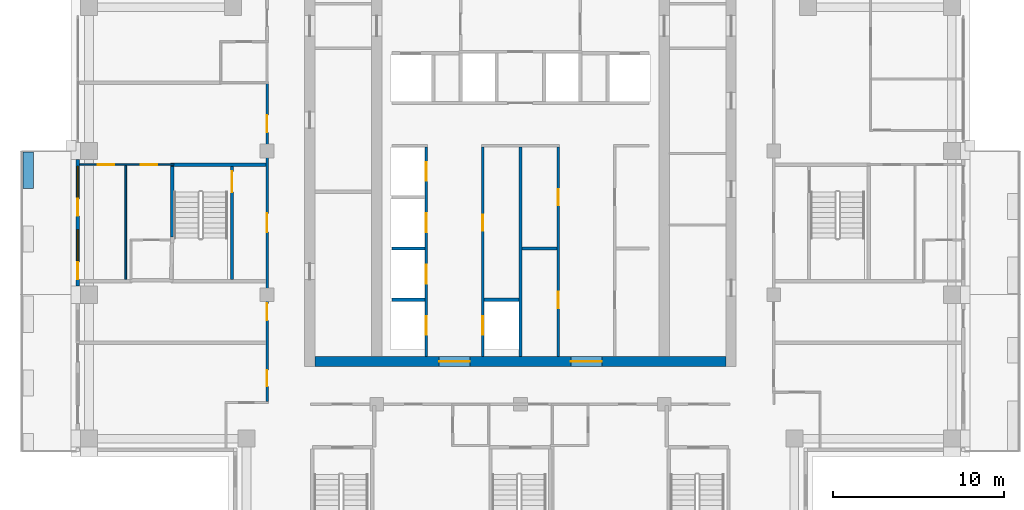
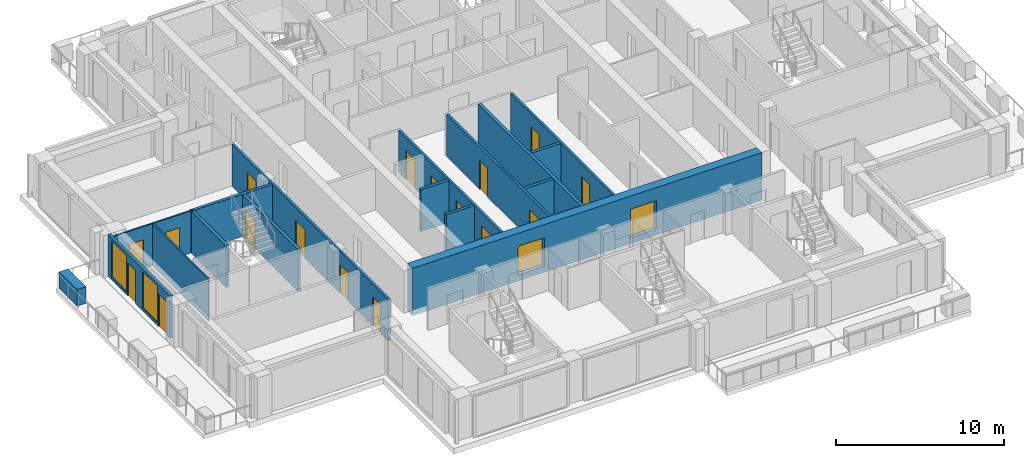
# One storey, part 9 of 17: 19 doors, 17 walls, 2 windows, 21 openings.
"""IFC4 building model written with IfcOpenShell, lengths in metres."""

from ifc_helpers import new_model, si_unit, direction, frame, frame_2d, origin, place, context, subcontext, project, spatial, rectangle, extrude, material, layer, layer_set, type_object, element, fill, save


model = new_model("IFC4")

# Units and contexts
model_context = context("Model", 3, precision=1e-05, world=origin(), true_north=direction((0.0, 1.0)))
body_context = subcontext(model_context, "Body", "Model", "MODEL_VIEW")
ifc_project = project(units=[si_unit("LENGTHUNIT", "METRE"), si_unit("AREAUNIT", "SQUARE_METRE"), si_unit("VOLUMEUNIT", "CUBIC_METRE"), si_unit("PLANEANGLEUNIT", "RADIAN"), si_unit("MASSUNIT", "GRAM", prefix="KILO")], contexts=[model_context])

# Site, building, storey
site_placement = place(None, origin())
site = spatial("IfcSite", under=ifc_project, at=site_placement, CompositionType="ELEMENT")
building_placement = place(site_placement, origin())
building = spatial("IfcBuilding", under=site, at=building_placement, Name="Vermilion Ogive Tower", CompositionType="ELEMENT")
storey_placement = place(building_placement, frame((0.0, 0.0, 203.14990234375)))
storey = spatial("IfcBuildingStorey", under=building, at=storey_placement, Name="L53", CompositionType="ELEMENT", Elevation=203.14990234375)

# Wall, openings, doors
ifc_material_1 = material(Name="Concrete B60", Category="concrete")
ifc_layer_1 = layer(ifc_material_1, 0.60009765625)
ifc_layer_set_1 = layer_set([ifc_layer_1], Name="Core wall 600 B60")
wall_type_1 = type_object("IfcWallType", Name="Core wall 600 B60", PredefinedType="SHEAR", material=ifc_layer_set_1)
wall_1_placement = place(storey_placement, frame((-12.0, -8.10009765625, -0.39990234375), z_axis=(0.0, 0.0, 1.0), x_axis=(1.0, 0.0, 0.0)))
wall_1 = element("IfcWall", 1, at=wall_1_placement, inside=storey, type_object=wall_type_1, Name="L53-CORE-S", PredefinedType="SHEAR", context=body_context, shape_type="SweptSolid", body=[
    extrude(rectangle(XDim=24.0, YDim=0.60009765625, at=frame_2d((12.0, 0.0))), origin(), (0.0, 0.0, 1.0), 3.449951171875),
])
opening_1_placement = place(wall_1_placement, frame((7.25, 0.0, 0.39990234375)))
opening_1 = element("IfcOpeningElement", 2, at=opening_1_placement, cuts=wall_1, Name="Opening DAH041", PredefinedType="OPENING", context=body_context, shape_type="SweptSolid", body=[
    extrude(rectangle(XDim=1.800048828125, YDim=2.10009765625, at=frame_2d((0.89990234375, 1.050048828125))), frame((0.0, 0.31005859375, 0.0), z_axis=(0.0, -1.0, 0.0), x_axis=(1.0, 0.0, 0.0)), (0.0, 0.0, 1.0), 0.6201171875),
])
opening_2_placement = place(wall_1_placement, frame((14.949951171875, 0.0, 0.39990234375)))
opening_2 = element("IfcOpeningElement", 3, at=opening_2_placement, cuts=wall_1, Name="Opening DAH042", PredefinedType="OPENING", context=body_context, shape_type="SweptSolid", body=[
    extrude(rectangle(XDim=1.800048828125, YDim=2.10009765625, at=frame_2d((0.89990234375, 1.050048828125))), frame((0.0, 0.31005859375, 0.0), z_axis=(0.0, -1.0, 0.0), x_axis=(1.0, 0.0, 0.0)), (0.0, 0.0, 1.0), 0.6201171875),
])
ifc_material_2 = material(Name="Timber door leaf", Category="wood")
door_type_1 = type_object("IfcDoorType", Name="Core entry door 1800 x 2100 FD60S", OperationType="DOUBLE_DOOR_SINGLE_SWING", PredefinedType="DOOR", material=ifc_material_2)
door_1_placement = place(opening_1_placement, origin())
door_1 = element("IfcDoor", 4, at=door_1_placement, inside=storey, type_object=door_type_1, Name="L53-CK-XD1", OperationType="SINGLE_SWING_LEFT", OverallHeight=2.10009765625, OverallWidth=1.800048828125, PredefinedType="DOOR", context=body_context, shape_type="SweptSolid", body=[
    extrude(rectangle(XDim=1.800048828125, YDim=2.10009765625, at=frame_2d((0.89990234375, 1.050048828125))), frame((0.0, 0.02490234375, 0.0), z_axis=(0.0, -1.0, 0.0), x_axis=(1.0, 0.0, 0.0)), (0.0, 0.0, 1.0), 0.050048828125),
])
fill(opening_1, door_1)
door_2_placement = place(opening_2_placement, origin())
door_2 = element("IfcDoor", 5, at=door_2_placement, inside=storey, type_object=door_type_1, Name="L53-CK-XD2", OperationType="SINGLE_SWING_LEFT", OverallHeight=2.10009765625, OverallWidth=1.800048828125, PredefinedType="DOOR", context=body_context, shape_type="SweptSolid", body=[
    extrude(rectangle(XDim=1.800048828125, YDim=2.10009765625, at=frame_2d((0.89990234375, 1.050048828125))), frame((0.0, 0.02490234375, 0.0), z_axis=(0.0, -1.0, 0.0), x_axis=(1.0, 0.0, 0.0)), (0.0, 0.0, 1.0), 0.050048828125),
])
fill(opening_2, door_2)

ifc_material_3 = material(Name="Gypsum board partition on steel studs", Category="steel")
ifc_layer_2 = layer(ifc_material_3, 0.10009765625)
ifc_layer_set_2 = layer_set([ifc_layer_2], Name="Partition 100 inner")
wall_type_2 = type_object("IfcWallType", Name="Partition 100 inner", PredefinedType="PARTITIONING", material=ifc_layer_set_2)
wall_2_placement = place(storey_placement, frame((-25.75, 3.39990234375, 0.0), z_axis=(0.0, 0.0, 1.0), x_axis=(1.0, 0.0, 0.0)))
wall_2 = element("IfcWall", 6, at=wall_2_placement, inside=storey, type_object=wall_type_2, Name="L53-W-W023", PredefinedType="PARTITIONING", context=body_context, shape_type="SweptSolid", body=[
    extrude(rectangle(XDim=5.5, YDim=0.10009765625, at=frame_2d((2.75, 0.0))), origin(), (0.0, 0.0, 1.0), 3.050048828125),
])
opening_3_placement = place(wall_2_placement, frame((1.074951171875, 0.0, 0.0)))
opening_3 = element("IfcOpeningElement", 7, at=opening_3_placement, cuts=wall_2, Name="Opening D4G4003", PredefinedType="OPENING", context=body_context, shape_type="SweptSolid", body=[
    extrude(rectangle(XDim=0.949951171875, YDim=2.10009765625, at=frame_2d((0.47509765625, 1.050048828125))), frame((0.0, 0.06005859375, 0.0), z_axis=(0.0, -1.0, 0.0), x_axis=(1.0, 0.0, 0.0)), (0.0, 0.0, 1.0), 0.1201171875),
])
opening_4_placement = place(wall_2_placement, frame((3.574951171875, 0.0, 0.0)))
opening_4 = element("IfcOpeningElement", 8, at=opening_4_placement, cuts=wall_2, Name="Opening D4G4005", PredefinedType="OPENING", context=body_context, shape_type="SweptSolid", body=[
    extrude(rectangle(XDim=0.949951171875, YDim=2.10009765625, at=frame_2d((0.47509765625, 1.050048828125))), frame((0.0, 0.06005859375, 0.0), z_axis=(0.0, -1.0, 0.0), x_axis=(1.0, 0.0, 0.0)), (0.0, 0.0, 1.0), 0.1201171875),
])
ifc_material_4 = material(Name="Timber door leaf", Category="wood")
door_type_2 = type_object("IfcDoorType", Name="Inner door 950 x 2100 FD30", OperationType="SINGLE_SWING_LEFT", PredefinedType="DOOR", material=ifc_material_4)
door_3_placement = place(opening_3_placement, origin())
door_3 = element("IfcDoor", 9, at=door_3_placement, inside=storey, type_object=door_type_2, Name="L53-D-D003", OperationType="SINGLE_SWING_RIGHT", OverallHeight=2.10009765625, OverallWidth=0.949951171875, PredefinedType="DOOR", context=body_context, shape_type="SweptSolid", body=[
    extrude(rectangle(XDim=0.949951171875, YDim=2.10009765625, at=frame_2d((0.47509765625, 1.050048828125))), frame((0.0, 0.02490234375, 0.0), z_axis=(0.0, -1.0, 0.0), x_axis=(1.0, 0.0, 0.0)), (0.0, 0.0, 1.0), 0.050048828125),
])
fill(opening_3, door_3)
door_4_placement = place(opening_4_placement, origin())
door_4 = element("IfcDoor", 10, at=door_4_placement, inside=storey, type_object=door_type_2, Name="L53-D-D005", OperationType="SINGLE_SWING_RIGHT", OverallHeight=2.10009765625, OverallWidth=0.949951171875, PredefinedType="DOOR", context=body_context, shape_type="SweptSolid", body=[
    extrude(rectangle(XDim=0.949951171875, YDim=2.10009765625, at=frame_2d((0.47509765625, 1.050048828125))), frame((0.0, 0.02490234375, 0.0), z_axis=(0.0, -1.0, 0.0), x_axis=(1.0, 0.0, 0.0)), (0.0, 0.0, 1.0), 0.050048828125),
])
fill(opening_4, door_4)

# Wall
wall_3_placement = place(storey_placement, frame((-23.050048828125, -3.300048828125, 0.0), z_axis=(0.0, 0.0, 1.0), x_axis=(0.0, 1.0, 0.0)))
element("IfcWall", 11, at=wall_3_placement, inside=storey, type_object=wall_type_2, Name="L53-W-W036", PredefinedType="PARTITIONING", context=body_context, shape_type="SweptSolid", body=[
    extrude(rectangle(XDim=6.650146484375, YDim=0.10009765625, at=frame_2d((3.3251953125, 0.0))), origin(), (0.0, 0.0, 1.0), 3.050048828125),
])

# Wall, openings, doors
ifc_material_5 = material(Name="Gypsum board partition on steel studs", Category="steel")
ifc_layer_3 = layer(ifc_material_5, 0.14990234375)
ifc_layer_set_3 = layer_set([ifc_layer_3], Name="Partition 150 corridor")
wall_type_3 = type_object("IfcWallType", Name="Partition 150 corridor", PredefinedType="PARTITIONING", material=ifc_layer_set_3)
wall_4_placement = place(storey_placement, frame((-14.800048828125, -10.449951171875, 0.0), z_axis=(0.0, 0.0, 1.0), x_axis=(0.0, 1.0, 0.0)))
wall_4 = element("IfcWall", 12, at=wall_4_placement, inside=storey, type_object=wall_type_3, Name="L53-W-W043", PredefinedType="PARTITIONING", context=body_context, shape_type="SweptSolid", body=[
    extrude(rectangle(XDim=18.579833984375, YDim=0.14990234375, at=frame_2d((9.2900390625, 0.0))), origin(), (0.0, 0.0, 1.0), 3.050048828125),
])
opening_5_placement = place(wall_4_placement, frame((0.89990234375, 0.0, 0.0)))
opening_5 = element("IfcOpeningElement", 13, at=opening_5_placement, cuts=wall_4, Name="Opening D4G4001", PredefinedType="OPENING", context=body_context, shape_type="SweptSolid", body=[
    extrude(rectangle(XDim=0.949951171875, YDim=2.10009765625, at=frame_2d((0.47509765625, 1.050048828125))), frame((0.0, 0.0849609375, 0.0), z_axis=(0.0, -1.0, 0.0), x_axis=(1.0, 0.0, 0.0)), (0.0, 0.0, 1.0), 0.169921875),
])
opening_6_placement = place(wall_4_placement, frame((15.739990234375, 0.0, 0.0)))
opening_6 = element("IfcOpeningElement", 14, at=opening_6_placement, cuts=wall_4, Name="Opening D4G4004", PredefinedType="OPENING", context=body_context, shape_type="SweptSolid", body=[
    extrude(rectangle(XDim=1.0, YDim=2.10009765625, at=frame_2d((0.5, 1.050048828125))), frame((0.0, 0.0849609375, 0.0), z_axis=(0.0, -1.0, 0.0), x_axis=(1.0, 0.0, 0.0)), (0.0, 0.0, 1.0), 0.169921875),
])
opening_7_placement = place(wall_4_placement, frame((9.89990234375, 0.0, 0.0)))
opening_7 = element("IfcOpeningElement", 15, at=opening_7_placement, cuts=wall_4, Name="Opening D4G4033", PredefinedType="OPENING", context=body_context, shape_type="SweptSolid", body=[
    extrude(rectangle(XDim=1.10009765625, YDim=2.10009765625, at=frame_2d((0.550048828125, 1.050048828125))), frame((0.0, 0.0849609375, 0.0), z_axis=(0.0, -1.0, 0.0), x_axis=(1.0, 0.0, 0.0)), (0.0, 0.0, 1.0), 0.169921875),
])
opening_8_placement = place(wall_4_placement, frame((4.75, 0.0, 0.0)))
opening_8 = element("IfcOpeningElement", 16, at=opening_8_placement, cuts=wall_4, Name="Opening D4G4035", PredefinedType="OPENING", context=body_context, shape_type="SweptSolid", body=[
    extrude(rectangle(XDim=1.0, YDim=2.10009765625, at=frame_2d((0.5, 1.050048828125))), frame((0.0, 0.0849609375, 0.0), z_axis=(0.0, -1.0, 0.0), x_axis=(1.0, 0.0, 0.0)), (0.0, 0.0, 1.0), 0.169921875),
])
ifc_material_6 = material(Name="Timber door leaf", Category="wood")
door_type_3 = type_object("IfcDoorType", Name="Stair door 1100 x 2100 FD60S", OperationType="SINGLE_SWING_LEFT", PredefinedType="DOOR", material=ifc_material_6)
door_5_placement = place(opening_7_placement, origin())
door_5 = element("IfcDoor", 17, at=door_5_placement, inside=storey, type_object=door_type_3, Name="L53-D-D033", OperationType="SINGLE_SWING_RIGHT", OverallHeight=2.10009765625, OverallWidth=1.10009765625, PredefinedType="DOOR", context=body_context, shape_type="SweptSolid", body=[
    extrude(rectangle(XDim=1.10009765625, YDim=2.10009765625, at=frame_2d((0.550048828125, 1.050048828125))), frame((0.0, 0.02490234375, 0.0), z_axis=(0.0, -1.0, 0.0), x_axis=(1.0, 0.0, 0.0)), (0.0, 0.0, 1.0), 0.050048828125),
])
fill(opening_7, door_5)
ifc_material_7 = material(Name="Timber door leaf", Category="wood")
door_type_4 = type_object("IfcDoorType", Name="Unit door 1000 x 2100 FD30S", OperationType="SINGLE_SWING_LEFT", PredefinedType="DOOR", material=ifc_material_7)
door_6_placement = place(opening_6_placement, origin())
door_6 = element("IfcDoor", 18, at=door_6_placement, inside=storey, type_object=door_type_4, Name="L53-D-D004", OperationType="SINGLE_SWING_RIGHT", OverallHeight=2.10009765625, OverallWidth=1.0, PredefinedType="DOOR", context=body_context, shape_type="SweptSolid", body=[
    extrude(rectangle(XDim=1.0, YDim=2.10009765625, at=frame_2d((0.5, 1.050048828125))), frame((0.0, 0.02490234375, 0.0), z_axis=(0.0, -1.0, 0.0), x_axis=(1.0, 0.0, 0.0)), (0.0, 0.0, 1.0), 0.050048828125),
])
fill(opening_6, door_6)
door_7_placement = place(opening_8_placement, origin())
door_7 = element("IfcDoor", 19, at=door_7_placement, inside=storey, type_object=door_type_4, Name="L53-D-D035", OperationType="SINGLE_SWING_LEFT", OverallHeight=2.10009765625, OverallWidth=1.0, PredefinedType="DOOR", context=body_context, shape_type="SweptSolid", body=[
    extrude(rectangle(XDim=1.0, YDim=2.10009765625, at=frame_2d((0.5, 1.050048828125))), frame((0.0, 0.02490234375, 0.0), z_axis=(0.0, -1.0, 0.0), x_axis=(1.0, 0.0, 0.0)), (0.0, 0.0, 1.0), 0.050048828125),
])
fill(opening_8, door_7)
ifc_material_8 = material(Name="Timber door leaf", Category="wood")
door_type_5 = type_object("IfcDoorType", Name="Unit door 950 x 2100 FD30S", OperationType="SINGLE_SWING_LEFT", PredefinedType="DOOR", material=ifc_material_8)
door_8_placement = place(opening_5_placement, origin())
door_8 = element("IfcDoor", 20, at=door_8_placement, inside=storey, type_object=door_type_5, Name="L53-D-D001", OperationType="SINGLE_SWING_LEFT", OverallHeight=2.10009765625, OverallWidth=0.949951171875, PredefinedType="DOOR", context=body_context, shape_type="SweptSolid", body=[
    extrude(rectangle(XDim=0.949951171875, YDim=2.10009765625, at=frame_2d((0.47509765625, 1.050048828125))), frame((0.0, 0.02490234375, 0.0), z_axis=(0.0, -1.0, 0.0), x_axis=(1.0, 0.0, 0.0)), (0.0, 0.0, 1.0), 0.050048828125),
])
fill(opening_5, door_8)

wall_5_placement = place(storey_placement, frame((-5.5, -7.799072265625, 0.0), z_axis=(0.0, 0.0, 1.0), x_axis=(0.0, 1.0, 0.0)))
wall_5 = element("IfcWall", 21, at=wall_5_placement, inside=storey, type_object=wall_type_3, Name="L53-CK-W-W019", PredefinedType="PARTITIONING", context=body_context, shape_type="SweptSolid", body=[
    extrude(rectangle(XDim=12.22412109375, YDim=0.14990234375, at=frame_2d((6.112060546875, 0.0))), origin(), (0.0, 0.0, 1.0), 3.050048828125),
])
opening_9_placement = place(wall_5_placement, frame((1.2490234375, 0.0, 0.0)))
opening_9 = element("IfcOpeningElement", 22, at=opening_9_placement, cuts=wall_5, Name="Opening DAA481", PredefinedType="OPENING", context=body_context, shape_type="SweptSolid", body=[
    extrude(rectangle(XDim=1.10009765625, YDim=2.10009765625, at=frame_2d((0.550048828125, 1.050048828125))), frame((0.0, 0.0849609375, 0.0), z_axis=(0.0, -1.0, 0.0), x_axis=(1.0, 0.0, 0.0)), (0.0, 0.0, 1.0), 0.169921875),
])
opening_10_placement = place(wall_5_placement, frame((4.2490234375, 0.0, 0.0)))
opening_10 = element("IfcOpeningElement", 23, at=opening_10_placement, cuts=wall_5, Name="Opening DAA482", PredefinedType="OPENING", context=body_context, shape_type="SweptSolid", body=[
    extrude(rectangle(XDim=1.10009765625, YDim=2.10009765625, at=frame_2d((0.550048828125, 1.050048828125))), frame((0.0, 0.0849609375, 0.0), z_axis=(0.0, -1.0, 0.0), x_axis=(1.0, 0.0, 0.0)), (0.0, 0.0, 1.0), 0.169921875),
])
opening_11_placement = place(wall_5_placement, frame((7.2490234375, 0.0, 0.0)))
opening_11 = element("IfcOpeningElement", 24, at=opening_11_placement, cuts=wall_5, Name="Opening DAA483", PredefinedType="OPENING", context=body_context, shape_type="SweptSolid", body=[
    extrude(rectangle(XDim=1.10009765625, YDim=2.10009765625, at=frame_2d((0.550048828125, 1.050048828125))), frame((0.0, 0.0849609375, 0.0), z_axis=(0.0, -1.0, 0.0), x_axis=(1.0, 0.0, 0.0)), (0.0, 0.0, 1.0), 0.169921875),
])
opening_12_placement = place(wall_5_placement, frame((10.2490234375, 0.0, 0.0)))
opening_12 = element("IfcOpeningElement", 25, at=opening_12_placement, cuts=wall_5, Name="Opening DAA484", PredefinedType="OPENING", context=body_context, shape_type="SweptSolid", body=[
    extrude(rectangle(XDim=1.10009765625, YDim=2.10009765625, at=frame_2d((0.550048828125, 1.050048828125))), frame((0.0, 0.0849609375, 0.0), z_axis=(0.0, -1.0, 0.0), x_axis=(1.0, 0.0, 0.0)), (0.0, 0.0, 1.0), 0.169921875),
])
ifc_material_9 = material(Name="Stainless steel", Category="steel")
door_type_6 = type_object("IfcDoorType", Name="Lift landing door 1100 x 2100", OperationType="SLIDING_TO_LEFT", PredefinedType="DOOR", material=ifc_material_9)
door_9_placement = place(opening_9_placement, origin())
door_9 = element("IfcDoor", 26, at=door_9_placement, inside=storey, type_object=door_type_6, Name="L53-CK-D-D001", OperationType="SLIDING_TO_LEFT", OverallHeight=2.10009765625, OverallWidth=1.10009765625, PredefinedType="DOOR", context=body_context, shape_type="SweptSolid", body=[
    extrude(rectangle(XDim=1.10009765625, YDim=2.10009765625, at=frame_2d((0.550048828125, 1.050048828125))), frame((0.0, 0.02490234375, 0.0), z_axis=(0.0, -1.0, 0.0), x_axis=(1.0, 0.0, 0.0)), (0.0, 0.0, 1.0), 0.050048828125),
])
fill(opening_9, door_9)
door_10_placement = place(opening_10_placement, origin())
door_10 = element("IfcDoor", 27, at=door_10_placement, inside=storey, type_object=door_type_6, Name="L53-CK-D-D002", OperationType="SLIDING_TO_LEFT", OverallHeight=2.10009765625, OverallWidth=1.10009765625, PredefinedType="DOOR", context=body_context, shape_type="SweptSolid", body=[
    extrude(rectangle(XDim=1.10009765625, YDim=2.10009765625, at=frame_2d((0.550048828125, 1.050048828125))), frame((0.0, 0.02490234375, 0.0), z_axis=(0.0, -1.0, 0.0), x_axis=(1.0, 0.0, 0.0)), (0.0, 0.0, 1.0), 0.050048828125),
])
fill(opening_10, door_10)
door_11_placement = place(opening_11_placement, origin())
door_11 = element("IfcDoor", 28, at=door_11_placement, inside=storey, type_object=door_type_6, Name="L53-CK-D-D003", OperationType="SLIDING_TO_LEFT", OverallHeight=2.10009765625, OverallWidth=1.10009765625, PredefinedType="DOOR", context=body_context, shape_type="SweptSolid", body=[
    extrude(rectangle(XDim=1.10009765625, YDim=2.10009765625, at=frame_2d((0.550048828125, 1.050048828125))), frame((0.0, 0.02490234375, 0.0), z_axis=(0.0, -1.0, 0.0), x_axis=(1.0, 0.0, 0.0)), (0.0, 0.0, 1.0), 0.050048828125),
])
fill(opening_11, door_11)
door_12_placement = place(opening_12_placement, origin())
door_12 = element("IfcDoor", 29, at=door_12_placement, inside=storey, type_object=door_type_6, Name="L53-CK-D-D004", OperationType="SLIDING_TO_LEFT", OverallHeight=2.10009765625, OverallWidth=1.10009765625, PredefinedType="DOOR", context=body_context, shape_type="SweptSolid", body=[
    extrude(rectangle(XDim=1.10009765625, YDim=2.10009765625, at=frame_2d((0.550048828125, 1.050048828125))), frame((0.0, 0.02490234375, 0.0), z_axis=(0.0, -1.0, 0.0), x_axis=(1.0, 0.0, 0.0)), (0.0, 0.0, 1.0), 0.050048828125),
])
fill(opening_12, door_12)

wall_6_placement = place(storey_placement, frame((-2.199951171875, -7.799072265625, 0.0), z_axis=(0.0, 0.0, 1.0), x_axis=(0.0, 1.0, 0.0)))
wall_6 = element("IfcWall", 30, at=wall_6_placement, inside=storey, type_object=wall_type_3, Name="L53-CK-W-W024", PredefinedType="PARTITIONING", context=body_context, shape_type="SweptSolid", body=[
    extrude(rectangle(XDim=12.22412109375, YDim=0.14990234375, at=frame_2d((6.112060546875, 0.0))), origin(), (0.0, 0.0, 1.0), 3.050048828125),
])
opening_13_placement = place(wall_6_placement, frame((1.2490234375, 0.0, 0.0)))
opening_13 = element("IfcOpeningElement", 31, at=opening_13_placement, cuts=wall_6, Name="Opening DAA485", PredefinedType="OPENING", context=body_context, shape_type="SweptSolid", body=[
    extrude(rectangle(XDim=1.10009765625, YDim=2.10009765625, at=frame_2d((0.550048828125, 1.050048828125))), frame((0.0, 0.0849609375, 0.0), z_axis=(0.0, -1.0, 0.0), x_axis=(1.0, 0.0, 0.0)), (0.0, 0.0, 1.0), 0.169921875),
])
opening_14_placement = place(wall_6_placement, frame((7.323974609375, 0.0, 0.0)))
opening_14 = element("IfcOpeningElement", 32, at=opening_14_placement, cuts=wall_6, Name="Opening DAA472", PredefinedType="OPENING", context=body_context, shape_type="SweptSolid", body=[
    extrude(rectangle(XDim=0.949951171875, YDim=2.10009765625, at=frame_2d((0.47509765625, 1.050048828125))), frame((0.0, 0.0849609375, 0.0), z_axis=(0.0, -1.0, 0.0), x_axis=(1.0, 0.0, 0.0)), (0.0, 0.0, 1.0), 0.169921875),
])
door_13_placement = place(opening_13_placement, origin())
door_13 = element("IfcDoor", 33, at=door_13_placement, inside=storey, type_object=door_type_6, Name="L53-CK-D-D005", OperationType="SLIDING_TO_LEFT", OverallHeight=2.10009765625, OverallWidth=1.10009765625, PredefinedType="DOOR", context=body_context, shape_type="SweptSolid", body=[
    extrude(rectangle(XDim=1.10009765625, YDim=2.10009765625, at=frame_2d((0.550048828125, 1.050048828125))), frame((0.0, 0.02490234375, 0.0), z_axis=(0.0, -1.0, 0.0), x_axis=(1.0, 0.0, 0.0)), (0.0, 0.0, 1.0), 0.050048828125),
])
fill(opening_13, door_13)
ifc_material_10 = material(Name="Timber door leaf", Category="wood")
door_type_7 = type_object("IfcDoorType", Name="Service door 950 x 2100 FD60", OperationType="SINGLE_SWING_LEFT", PredefinedType="DOOR", material=ifc_material_10)
door_14_placement = place(opening_14_placement, origin())
door_14 = element("IfcDoor", 34, at=door_14_placement, inside=storey, type_object=door_type_7, Name="L53-CK-D-D006", OperationType="SINGLE_SWING_RIGHT", OverallHeight=2.10009765625, OverallWidth=0.949951171875, PredefinedType="DOOR", context=body_context, shape_type="SweptSolid", body=[
    extrude(rectangle(XDim=0.949951171875, YDim=2.10009765625, at=frame_2d((0.47509765625, 1.050048828125))), frame((0.0, 0.02490234375, 0.0), z_axis=(0.0, -1.0, 0.0), x_axis=(1.0, 0.0, 0.0)), (0.0, 0.0, 1.0), 0.050048828125),
])
fill(opening_14, door_14)

wall_7_placement = place(storey_placement, frame((2.199951171875, -7.799072265625, 0.0), z_axis=(0.0, 0.0, 1.0), x_axis=(0.0, 1.0, 0.0)))
wall_7 = element("IfcWall", 35, at=wall_7_placement, inside=storey, type_object=wall_type_3, Name="L53-CK-W-W031", PredefinedType="PARTITIONING", context=body_context, shape_type="SweptSolid", body=[
    extrude(rectangle(XDim=12.22412109375, YDim=0.14990234375, at=frame_2d((6.112060546875, 0.0))), origin(), (0.0, 0.0, 1.0), 3.050048828125),
])
opening_15_placement = place(wall_7_placement, frame((2.823974609375, 0.0, 0.0)))
opening_15 = element("IfcOpeningElement", 36, at=opening_15_placement, cuts=wall_7, Name="Opening DAA473", PredefinedType="OPENING", context=body_context, shape_type="SweptSolid", body=[
    extrude(rectangle(XDim=0.949951171875, YDim=2.10009765625, at=frame_2d((0.47509765625, 1.050048828125))), frame((0.0, 0.0849609375, 0.0), z_axis=(0.0, -1.0, 0.0), x_axis=(1.0, 0.0, 0.0)), (0.0, 0.0, 1.0), 0.169921875),
])
opening_16_placement = place(wall_7_placement, frame((8.823974609375, 0.0, 0.0)))
opening_16 = element("IfcOpeningElement", 37, at=opening_16_placement, cuts=wall_7, Name="Opening DAA474", PredefinedType="OPENING", context=body_context, shape_type="SweptSolid", body=[
    extrude(rectangle(XDim=0.949951171875, YDim=2.10009765625, at=frame_2d((0.47509765625, 1.050048828125))), frame((0.0, 0.0849609375, 0.0), z_axis=(0.0, -1.0, 0.0), x_axis=(1.0, 0.0, 0.0)), (0.0, 0.0, 1.0), 0.169921875),
])
door_15_placement = place(opening_15_placement, origin())
door_15 = element("IfcDoor", 38, at=door_15_placement, inside=storey, type_object=door_type_7, Name="L53-CK-D-D007", OperationType="SINGLE_SWING_RIGHT", OverallHeight=2.10009765625, OverallWidth=0.949951171875, PredefinedType="DOOR", context=body_context, shape_type="SweptSolid", body=[
    extrude(rectangle(XDim=0.949951171875, YDim=2.10009765625, at=frame_2d((0.47509765625, 1.050048828125))), frame((0.0, 0.02490234375, 0.0), z_axis=(0.0, -1.0, 0.0), x_axis=(1.0, 0.0, 0.0)), (0.0, 0.0, 1.0), 0.050048828125),
])
fill(opening_15, door_15)
door_16_placement = place(opening_16_placement, origin())
door_16 = element("IfcDoor", 39, at=door_16_placement, inside=storey, type_object=door_type_7, Name="L53-CK-D-D008", OperationType="SINGLE_SWING_RIGHT", OverallHeight=2.10009765625, OverallWidth=0.949951171875, PredefinedType="DOOR", context=body_context, shape_type="SweptSolid", body=[
    extrude(rectangle(XDim=0.949951171875, YDim=2.10009765625, at=frame_2d((0.47509765625, 1.050048828125))), frame((0.0, 0.02490234375, 0.0), z_axis=(0.0, -1.0, 0.0), x_axis=(1.0, 0.0, 0.0)), (0.0, 0.0, 1.0), 0.050048828125),
])
fill(opening_16, door_16)

# Walls
ifc_material_11 = material(Name="Gypsum board partition on steel studs", Category="steel")
ifc_layer_4 = layer(ifc_material_11, 0.199951171875)
ifc_layer_set_4 = layer_set([ifc_layer_4], Name="Partition 200 party")
wall_type_4 = type_object("IfcWallType", Name="Partition 200 party", PredefinedType="PARTITIONING", material=ifc_layer_set_4)
wall_8_placement = place(storey_placement, frame((-7.5, -4.5, 0.0), z_axis=(0.0, 0.0, 1.0), x_axis=(1.0, 0.0, 0.0)))
element("IfcWall", 40, at=wall_8_placement, inside=storey, type_object=wall_type_4, Name="L53-CK-W-W001", PredefinedType="PARTITIONING", context=body_context, shape_type="SweptSolid", body=[
    extrude(rectangle(XDim=1.925048828125, YDim=0.199951171875, at=frame_2d((0.96240234375, 0.0))), origin(), (0.0, 0.0, 1.0), 3.050048828125),
])
wall_9_placement = place(storey_placement, frame((-2.125, -4.5, 0.0), z_axis=(0.0, 0.0, 1.0), x_axis=(1.0, 0.0, 0.0)))
element("IfcWall", 41, at=wall_9_placement, inside=storey, type_object=wall_type_4, Name="L53-CK-W-W002", PredefinedType="PARTITIONING", context=body_context, shape_type="SweptSolid", body=[
    extrude(rectangle(XDim=2.02490234375, YDim=0.199951171875, at=frame_2d((1.012451171875, 0.0))), origin(), (0.0, 0.0, 1.0), 3.050048828125),
])
wall_10_placement = place(storey_placement, frame((-7.5, -1.5, 0.0), z_axis=(0.0, 0.0, 1.0), x_axis=(1.0, 0.0, 0.0)))
element("IfcWall", 42, at=wall_10_placement, inside=storey, type_object=wall_type_4, Name="L53-CK-W-W003", PredefinedType="PARTITIONING", context=body_context, shape_type="SweptSolid", body=[
    extrude(rectangle(XDim=1.925048828125, YDim=0.199951171875, at=frame_2d((0.96240234375, 0.0))), origin(), (0.0, 0.0, 1.0), 3.050048828125),
])
wall_11_placement = place(storey_placement, frame((0.10009765625, -1.5, 0.0), z_axis=(0.0, 0.0, 1.0), x_axis=(1.0, 0.0, 0.0)))
element("IfcWall", 43, at=wall_11_placement, inside=storey, type_object=wall_type_4, Name="L53-CK-W-W004", PredefinedType="PARTITIONING", context=body_context, shape_type="SweptSolid", body=[
    extrude(rectangle(XDim=2.02490234375, YDim=0.199951171875, at=frame_2d((1.012451171875, 0.0))), origin(), (0.0, 0.0, 1.0), 3.050048828125),
])
wall_12_placement = place(storey_placement, frame((0.0, -7.799072265625, 0.0), z_axis=(0.0, 0.0, 1.0), x_axis=(0.0, 1.0, 0.0)))
element("IfcWall", 44, at=wall_12_placement, inside=storey, type_object=wall_type_4, Name="L53-CK-W-W027", PredefinedType="PARTITIONING", context=body_context, shape_type="SweptSolid", body=[
    extrude(rectangle(XDim=12.22412109375, YDim=0.199951171875, at=frame_2d((6.112060546875, 0.0))), origin(), (0.0, 0.0, 1.0), 3.050048828125),
])
ifc_material_12 = material(Name="Concrete B60", Category="concrete")
ifc_layer_5 = layer(ifc_material_12, 0.199951171875)
ifc_layer_set_5 = layer_set([ifc_layer_5], Name="Stair shaft wall 200 Concrete B60")
wall_type_5 = type_object("IfcWallType", Name="Stair shaft wall 200 Concrete B60", PredefinedType="SOLIDWALL", material=ifc_layer_set_5)
wall_13_placement = place(storey_placement, frame((-20.449951171875, 3.39990234375, 0.0), z_axis=(0.0, 0.0, 1.0), x_axis=(1.0, 0.0, 0.0)))
element("IfcWall", 45, at=wall_13_placement, inside=storey, type_object=wall_type_5, Name="L53-W-W024", PredefinedType="SOLIDWALL", context=body_context, shape_type="SweptSolid", body=[
    extrude(rectangle(XDim=5.574951171875, YDim=0.199951171875, at=frame_2d((2.78759765625, 0.0))), origin(), (0.0, 0.0, 1.0), 3.050048828125),
])
wall_14_placement = place(storey_placement, frame((-20.35009765625, -0.830078125, 0.0), z_axis=(0.0, 0.0, 1.0), x_axis=(0.0, 1.0, 0.0)))
element("IfcWall", 46, at=wall_14_placement, inside=storey, type_object=wall_type_5, Name="L53-W-W039", PredefinedType="SOLIDWALL", context=body_context, shape_type="SweptSolid", body=[
    extrude(rectangle(XDim=4.130126953125, YDim=0.199951171875, at=frame_2d((2.06494140625, 0.0))), origin(), (0.0, 0.0, 1.0), 3.050048828125),
])

# Wall, opening, door
wall_15_placement = place(storey_placement, frame((-16.85009765625, -3.300048828125, 0.0), z_axis=(0.0, 0.0, 1.0), x_axis=(0.0, 1.0, 0.0)))
wall_15 = element("IfcWall", 47, at=wall_15_placement, inside=storey, type_object=wall_type_5, Name="L53-W-W042", PredefinedType="SOLIDWALL", context=body_context, shape_type="SweptSolid", body=[
    extrude(rectangle(XDim=6.60009765625, YDim=0.199951171875, at=frame_2d((3.300048828125, 0.0))), origin(), (0.0, 0.0, 1.0), 3.050048828125),
])
opening_17_placement = place(wall_15_placement, frame((5.10009765625, 0.0, 0.0)))
opening_17 = element("IfcOpeningElement", 48, at=opening_17_placement, cuts=wall_15, Name="Opening D4G4034", PredefinedType="OPENING", context=body_context, shape_type="SweptSolid", body=[
    extrude(rectangle(XDim=1.199951171875, YDim=2.10009765625, at=frame_2d((0.60009765625, 1.050048828125))), frame((0.0, 0.10986328125, 0.0), z_axis=(0.0, -1.0, 0.0), x_axis=(1.0, 0.0, 0.0)), (0.0, 0.0, 1.0), 0.219970703125),
])
ifc_material_13 = material(Name="Timber door leaf", Category="wood")
door_type_8 = type_object("IfcDoorType", Name="Stair door 1200 x 2100 FD60S", OperationType="SINGLE_SWING_LEFT", PredefinedType="DOOR", material=ifc_material_13)
door_17_placement = place(opening_17_placement, origin())
door_17 = element("IfcDoor", 49, at=door_17_placement, inside=storey, type_object=door_type_8, Name="L53-D-D034", OperationType="SINGLE_SWING_RIGHT", OverallHeight=2.10009765625, OverallWidth=1.199951171875, PredefinedType="DOOR", context=body_context, shape_type="SweptSolid", body=[
    extrude(rectangle(XDim=1.199951171875, YDim=2.10009765625, at=frame_2d((0.60009765625, 1.050048828125))), frame((0.0, 0.02490234375, 0.0), z_axis=(0.0, -1.0, 0.0), x_axis=(1.0, 0.0, 0.0)), (0.0, 0.0, 1.0), 0.050048828125),
])
fill(opening_17, door_17)

# Wall
ifc_material_14 = material(Name="Concrete B40", Category="concrete")
ifc_layer_6 = layer(ifc_material_14, 0.60009765625)
ifc_layer_set_6 = layer_set([ifc_layer_6], Name="Structural planter")
wall_type_6 = type_object("IfcWallType", Name="Structural planter", PredefinedType="USERDEFINED", material=ifc_layer_set_6)
wall_16_placement = place(storey_placement, frame((-28.75, 4.139892578125, -0.039794921875), z_axis=(0.0, 0.0, 1.0), x_axis=(0.0, -1.0, 0.0)))
element("IfcWall", 50, at=wall_16_placement, inside=storey, type_object=wall_type_6, Name="Planter W02A1", ObjectType="PLANTER", PredefinedType="USERDEFINED", context=body_context, shape_type="SweptSolid", body=[
    extrude(rectangle(XDim=2.139892578125, YDim=0.60009765625, at=frame_2d((1.06982421875, 0.0))), origin(), (0.0, 0.0, 1.0), 1.199951171875),
])

# Wall, openings, doors, windows
ifc_material_15 = material(Name="Aluminium window wall framing", Category="aluminium")
ifc_layer_7 = layer(ifc_material_15, 0.199951171875)
ifc_layer_set_7 = layer_set([ifc_layer_7], Name="Window wall")
wall_type_7 = type_object("IfcWallType", Name="Window wall", PredefinedType="STANDARD", material=ifc_layer_set_7)
wall_17_placement = place(storey_placement, frame((-25.85009765625, 3.699951171875, 0.0), z_axis=(0.0, 0.0, 1.0), x_axis=(0.0, -1.0, 0.0)))
wall_17 = element("IfcWall", 51, at=wall_17_placement, inside=storey, type_object=wall_type_7, Name="Window wall W2", PredefinedType="STANDARD", context=body_context, shape_type="SweptSolid", body=[
    extrude(rectangle(XDim=7.39990234375, YDim=0.199951171875, at=frame_2d((3.699951171875, 0.0))), origin(), (0.0, 0.0, 1.0), 3.050048828125),
])
opening_18_placement = place(wall_17_placement, frame((4.10009765625, 0.0, 0.199951171875)))
opening_18 = element("IfcOpeningElement", 52, at=opening_18_placement, cuts=wall_17, Name="Opening W1-W99", PredefinedType="OPENING", context=body_context, shape_type="SweptSolid", body=[
    extrude(rectangle(XDim=1.800048828125, YDim=2.64990234375, at=frame_2d((0.89990234375, 1.324951171875))), frame((0.0, 0.10986328125, 0.0), z_axis=(0.0, -1.0, 0.0), x_axis=(1.0, 0.0, 0.0)), (0.0, 0.0, 1.0), 0.219970703125),
])
opening_19_placement = place(wall_17_placement, frame((6.0, 0.0, 0.0)))
opening_19 = element("IfcOpeningElement", 53, at=opening_19_placement, cuts=wall_17, Name="Opening D1-W99", PredefinedType="OPENING", context=body_context, shape_type="SweptSolid", body=[
    extrude(rectangle(XDim=1.0, YDim=2.39990234375, at=frame_2d((0.5, 1.199951171875))), frame((0.0, 0.10986328125, 0.0), z_axis=(0.0, -1.0, 0.0), x_axis=(1.0, 0.0, 0.0)), (0.0, 0.0, 1.0), 0.219970703125),
])
opening_20_placement = place(wall_17_placement, frame((0.39990234375, 0.0, 0.199951171875)))
opening_20 = element("IfcOpeningElement", 54, at=opening_20_placement, cuts=wall_17, Name="Opening W1-W00", PredefinedType="OPENING", context=body_context, shape_type="SweptSolid", body=[
    extrude(rectangle(XDim=1.800048828125, YDim=2.64990234375, at=frame_2d((0.89990234375, 1.324951171875))), frame((0.0, 0.10986328125, 0.0), z_axis=(0.0, -1.0, 0.0), x_axis=(1.0, 0.0, 0.0)), (0.0, 0.0, 1.0), 0.219970703125),
])
opening_21_placement = place(wall_17_placement, frame((2.300048828125, 0.0, 0.0)))
opening_21 = element("IfcOpeningElement", 55, at=opening_21_placement, cuts=wall_17, Name="Opening D1-W00", PredefinedType="OPENING", context=body_context, shape_type="SweptSolid", body=[
    extrude(rectangle(XDim=1.0, YDim=2.39990234375, at=frame_2d((0.5, 1.199951171875))), frame((0.0, 0.10986328125, 0.0), z_axis=(0.0, -1.0, 0.0), x_axis=(1.0, 0.0, 0.0)), (0.0, 0.0, 1.0), 0.219970703125),
])
ifc_material_16 = material(Name="Aluminium framed glazed door", Category="aluminium")
door_type_9 = type_object("IfcDoorType", Name="Balcony door D1", OperationType="SINGLE_SWING_LEFT", PredefinedType="DOOR", material=ifc_material_16)
door_18_placement = place(opening_19_placement, origin())
door_18 = element("IfcDoor", 56, at=door_18_placement, inside=storey, type_object=door_type_9, Name="Balcony door W99", OperationType="SINGLE_SWING_LEFT", OverallHeight=2.39990234375, OverallWidth=1.0, PredefinedType="DOOR", context=body_context, shape_type="SweptSolid", body=[
    extrude(rectangle(XDim=1.0, YDim=2.39990234375, at=frame_2d((0.5, 1.199951171875))), frame((0.0, 0.02490234375, 0.0), z_axis=(0.0, -1.0, 0.0), x_axis=(1.0, 0.0, 0.0)), (0.0, 0.0, 1.0), 0.050048828125),
])
fill(opening_19, door_18)
door_19_placement = place(opening_21_placement, origin())
door_19 = element("IfcDoor", 57, at=door_19_placement, inside=storey, type_object=door_type_9, Name="Balcony door W00", OperationType="SINGLE_SWING_LEFT", OverallHeight=2.39990234375, OverallWidth=1.0, PredefinedType="DOOR", context=body_context, shape_type="SweptSolid", body=[
    extrude(rectangle(XDim=1.0, YDim=2.39990234375, at=frame_2d((0.5, 1.199951171875))), frame((0.0, 0.02490234375, 0.0), z_axis=(0.0, -1.0, 0.0), x_axis=(1.0, 0.0, 0.0)), (0.0, 0.0, 1.0), 0.050048828125),
])
fill(opening_21, door_19)
ifc_material_17 = material(Name="Aluminium framed double glazing", Category="aluminium")
window_type = type_object("IfcWindowType", Name="Guest window W1", PartitioningType="SINGLE_PANEL", PredefinedType="WINDOW", material=ifc_material_17)
window_1_placement = place(opening_18_placement, origin())
window_1 = element("IfcWindow", 58, at=window_1_placement, inside=storey, type_object=window_type, Name="Window W99", OverallHeight=2.64990234375, OverallWidth=1.800048828125, PartitioningType="SINGLE_PANEL", PredefinedType="WINDOW", context=body_context, shape_type="SweptSolid", body=[
    extrude(rectangle(XDim=1.800048828125, YDim=2.64990234375, at=frame_2d((0.89990234375, 1.324951171875))), frame((0.0, 0.030029296875, 0.0), z_axis=(0.0, -1.0, 0.0), x_axis=(1.0, 0.0, 0.0)), (0.0, 0.0, 1.0), 0.06005859375),
])
fill(opening_18, window_1)
window_2_placement = place(opening_20_placement, origin())
window_2 = element("IfcWindow", 59, at=window_2_placement, inside=storey, type_object=window_type, Name="Window W00", OverallHeight=2.64990234375, OverallWidth=1.800048828125, PartitioningType="SINGLE_PANEL", PredefinedType="WINDOW", context=body_context, shape_type="SweptSolid", body=[
    extrude(rectangle(XDim=1.800048828125, YDim=2.64990234375, at=frame_2d((0.89990234375, 1.324951171875))), frame((0.0, 0.030029296875, 0.0), z_axis=(0.0, -1.0, 0.0), x_axis=(1.0, 0.0, 0.0)), (0.0, 0.0, 1.0), 0.06005859375),
])
fill(opening_20, window_2)

save(model, "model.ifc")
